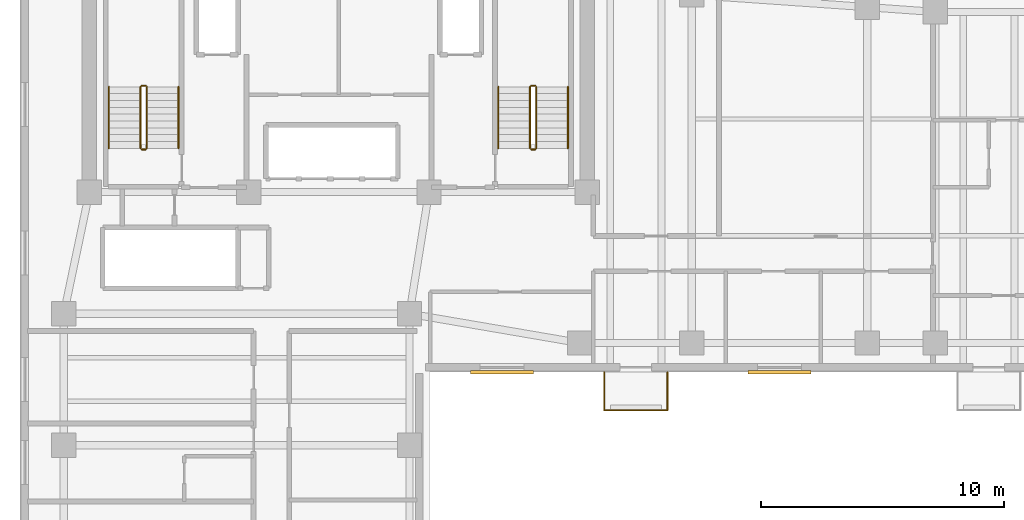
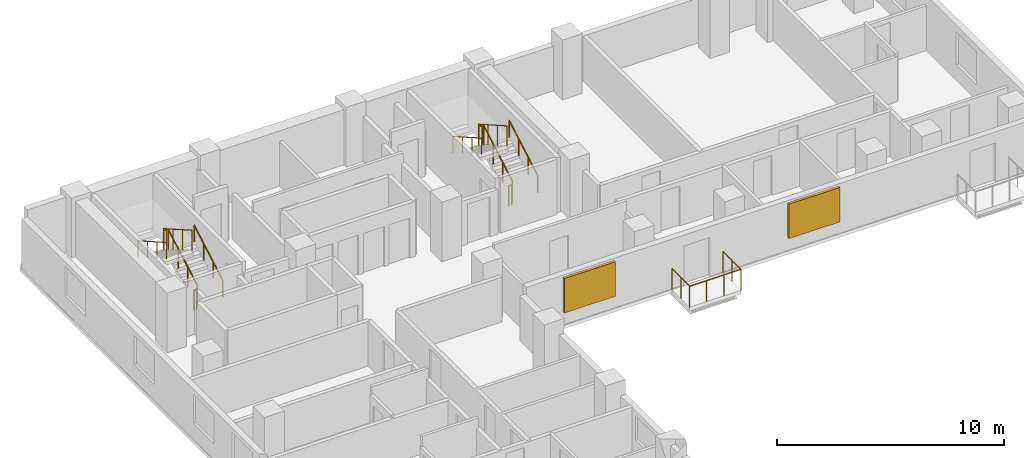
# One storey, part 6 of 7: 15 railings, 2 shading devices.
"""IFC4 building model written with IfcOpenShell, lengths in metres."""

import ifcopenshell
import ifcopenshell.guid

model = None  # the IFC model being written
_history = None  # IfcOwnerHistory: only IFC2X3 demands one
_inside = {}  # id of a spatial element -> (the spatial element, [elements in it])
_under = {}  # id of a project, library or spatial element -> (it, [spatial elements below it])
_declared = {}  # id of a project -> (the project, [libraries it declares])
_typed = {}  # id of a type object -> (the type object, [elements of that type])
_made_of = {}  # id of a material, layer set ... -> (it, [elements and type objects made of it])


def new_model(schema):
    """Start an empty IFC model of exactly this schema.

    Asked for "IFC4X3", IfcOpenShell would pick the latest addendum, in which some entities
    have other attributes; the version numbers below select the first issue.
    IFC2X3 requires an IfcOwnerHistory on every rooted entity: one is made here for all.
    """
    global model, _history
    if schema == "IFC4X3":
        model = ifcopenshell.file(schema_version=(4, 3, 0, 0))
    else:
        model = ifcopenshell.file(schema=schema)
    _inside.clear()
    _under.clear()
    _declared.clear()
    _typed.clear()
    _made_of.clear()
    _history = None
    if model.schema == "IFC2X3":
        org = make("IfcOrganization", Name="unknown")
        user = make(
            "IfcPersonAndOrganization",
            ThePerson=make("IfcPerson", FamilyName="unknown"),
            TheOrganization=org,
        )
        app = make(
            "IfcApplication",
            ApplicationDeveloper=org,
            Version="unknown",
            ApplicationFullName="unknown",
            ApplicationIdentifier="unknown",
        )
        _history = make(
            "IfcOwnerHistory",
            OwningUser=user,
            OwningApplication=app,
            ChangeAction="ADDED",
            CreationDate=0,
        )
    return model


def make(cls, **values):
    """One entity of the class cls with the attributes given. An attribute that is None is left unset."""
    return model.create_entity(
        cls, **{name: value for name, value in values.items() if value is not None}
    )


def rooted(cls, **values):
    """An entity with a GlobalId (a new one), such as an element, a storey or a relation."""
    return make(cls, GlobalId=ifcopenshell.guid.new(), OwnerHistory=_history, **values)


def si_unit(unit_type, name, prefix=None):
    """IfcSIUnit, for example si_unit("LENGTHUNIT", "METRE", prefix="MILLI")."""
    return make("IfcSIUnit", UnitType=unit_type, Prefix=prefix, Name=name)


def assignment(units):
    """IfcUnitAssignment: the units of a project."""
    return None if units is None else make("IfcUnitAssignment", Units=units)


def point(xyz):
    """IfcCartesianPoint."""
    return None if xyz is None else make("IfcCartesianPoint", Coordinates=xyz)


def direction(xyz):
    """IfcDirection."""
    return None if xyz is None else make("IfcDirection", DirectionRatios=xyz)


def frame(location, z_axis=None, x_axis=None):
    """IfcAxis2Placement3D, a coordinate frame: its origin and axes. An axis left out is left unset."""
    return make(
        "IfcAxis2Placement3D",
        Location=point(location),
        Axis=direction(z_axis),
        RefDirection=direction(x_axis),
    )


def frame_2d(location, x_axis=None):
    """IfcAxis2Placement2D, a coordinate frame in the plane: its origin and x axis."""
    return make(
        "IfcAxis2Placement2D", Location=point(location), RefDirection=direction(x_axis)
    )


def origin():
    """The frame at (0, 0, 0) with its axes left unset."""
    return frame((0.0, 0.0, 0.0))


def origin_2d():
    """The frame at (0, 0) in the plane with its x axis left unset."""
    return frame_2d((0.0, 0.0))


def place(relative_to, where):
    """IfcLocalPlacement: puts the frame where relative to a parent placement (None: the world)."""
    return make(
        "IfcLocalPlacement", PlacementRelTo=relative_to, RelativePlacement=where
    )


def context(
    kind, dimensions, precision=None, world=None, true_north=None, identifier=None
):
    """IfcGeometricRepresentationContext, for example the 3D "Model" context."""
    return make(
        "IfcGeometricRepresentationContext",
        ContextIdentifier=identifier,
        ContextType=kind,
        CoordinateSpaceDimension=dimensions,
        Precision=precision,
        WorldCoordinateSystem=world,
        TrueNorth=true_north,
    )


def subcontext(parent, identifier, kind, view, scale=None):
    """IfcGeometricRepresentationSubContext, for example "Body" below "Model"."""
    return make(
        "IfcGeometricRepresentationSubContext",
        ContextIdentifier=identifier,
        ContextType=kind,
        ParentContext=parent,
        TargetScale=scale,
        TargetView=view,
    )


def project(units=None, contexts=None):
    """IfcProject with its units and contexts."""
    return rooted(
        "IfcProject",
        Name="project",
        RepresentationContexts=contexts,
        UnitsInContext=assignment(units),
    )


def spatial(cls, under=None, at=None, **own):
    """A site, building, storey or space (cls), placed at a placement, below another one or the project."""
    s = rooted(cls, ObjectPlacement=at, **own)
    if under is not None:
        _under.setdefault(under.id(), (under, []))[1].append(s)
    return s


def profile(cls, at=None, kind="AREA", **sizes):
    """A parametric profile (cls). Its sizes go by their IFC names, for example OverallWidth=200.0."""
    return make(cls, ProfileType=kind, Position=at, **sizes)


def rectangle(**sizes):
    """IfcRectangleProfileDef."""
    return profile("IfcRectangleProfileDef", **sizes)


def circle(**sizes):
    """IfcCircleProfileDef."""
    return profile("IfcCircleProfileDef", **sizes)


def extrude(swept, where, along, depth):
    """IfcExtrudedAreaSolid: the profile swept, set in the frame where, extruded along a direction by depth."""
    return make(
        "IfcExtrudedAreaSolid",
        SweptArea=swept,
        Position=where,
        ExtrudedDirection=direction(along),
        Depth=depth,
    )


def shape(context_of_items, identifier, shape_type, items):
    """IfcShapeRepresentation: the items that make up one representation, for example the "Body"."""
    return make(
        "IfcShapeRepresentation",
        ContextOfItems=context_of_items,
        RepresentationIdentifier=identifier,
        RepresentationType=shape_type,
        Items=items,
    )


def material(Name=None, Category=None):
    """IfcMaterial."""
    return make("IfcMaterial", Name=Name, Category=Category)


def layer(
    of_material, thickness, ventilated=None, Name=None, Category=None, Priority=None
):
    """IfcMaterialLayer: one layer of a wall or slab, of a material (None: an air gap)."""
    return make(
        "IfcMaterialLayer",
        Material=of_material,
        LayerThickness=thickness,
        IsVentilated=ventilated,
        Name=Name,
        Category=Category,
        Priority=Priority,
    )


def layer_set(layers, Name=None):
    """IfcMaterialLayerSet."""
    return make("IfcMaterialLayerSet", MaterialLayers=layers, LayerSetName=Name)


def made_of(thing, what):
    """Note that an element or type object is made of a material, layer set ...; save() writes the relation."""
    if what is not None:
        _made_of.setdefault(what.id(), (what, []))[1].append(thing)
    return thing


def type_object(cls, material=None, **own):
    """A type object (cls), such as IfcWallType, which elements share."""
    return made_of(rooted(cls, **own), material)


def element(
    cls,
    number,
    at=None,
    inside=None,
    cuts=None,
    type_object=None,
    material=None,
    context=None,
    identifier="Body",
    shape_type=None,
    held_by="IfcProductDefinitionShape",
    body=None,
    shapes=None,
    **own,
):
    """One element of the class cls, such as IfcWall. Its Tag is "e" and its number.

    at: its placement. inside: the storey or other place that contains it. cuts: it is an
    opening in that element (IfcRelVoidsElement). A single representation is given by context,
    identifier, shape_type and body (its items); several are given by shapes. held_by: the class
    of the entity that holds the representations. save() writes the other relations.
    """
    e = rooted(cls, Tag="e%d" % number, ObjectPlacement=at, **own)
    if body is not None:
        shapes = [shape(context, identifier, shape_type, body)]
    if shapes is not None:
        e.Representation = make(held_by, Representations=shapes)
    if inside is not None:
        _inside.setdefault(inside.id(), (inside, []))[1].append(e)
    if cuts is not None:
        rooted(
            "IfcRelVoidsElement", RelatingBuildingElement=cuts, RelatedOpeningElement=e
        )
    if type_object is not None:
        _typed.setdefault(type_object.id(), (type_object, []))[1].append(e)
    return made_of(e, material)


def aggregate(whole, parts):
    """IfcRelAggregates: a whole, such as a stair, and the parts it consists of."""
    return rooted("IfcRelAggregates", RelatingObject=whole, RelatedObjects=parts)


def save(model, path):
    """Write the relations noted so far, then the file.

    IfcRelAggregates (storeys below a building ...), IfcRelContainedInSpatialStructure (elements
    in a storey), IfcRelDefinesByType, IfcRelAssociatesMaterial and IfcRelDeclares: one each for
    every whole, place, type object, material and project.
    """
    for whole, parts in _under.values():
        aggregate(whole, parts)
    for where, things in _inside.values():
        rooted(
            "IfcRelContainedInSpatialStructure",
            RelatedElements=things,
            RelatingStructure=where,
        )
    for kind, things in _typed.values():
        rooted("IfcRelDefinesByType", RelatedObjects=things, RelatingType=kind)
    for what, things in _made_of.values():
        rooted("IfcRelAssociatesMaterial", RelatedObjects=things, RelatingMaterial=what)
    for by, libraries in _declared.values():
        rooted("IfcRelDeclares", RelatingContext=by, RelatedDefinitions=libraries)
    model.write(path)


model = new_model("IFC4")

# Units and contexts
model_context = context("Model", 3, precision=1e-05, world=origin(), true_north=direction((0.0, 1.0)))
body_context = subcontext(model_context, "Body", "Model", "MODEL_VIEW")
ifc_project = project(units=[si_unit("LENGTHUNIT", "METRE"), si_unit("AREAUNIT", "SQUARE_METRE"), si_unit("VOLUMEUNIT", "CUBIC_METRE"), si_unit("PLANEANGLEUNIT", "RADIAN"), si_unit("MASSUNIT", "GRAM", prefix="KILO")], contexts=[model_context])

# Site, building, storey
site_placement = place(None, origin())
site = spatial("IfcSite", under=ifc_project, at=site_placement, CompositionType="ELEMENT")
building_placement = place(site_placement, origin())
building = spatial("IfcBuilding", under=site, at=building_placement, Name="Kuzgunbayir Cultural Tower", CompositionType="ELEMENT")
storey_placement = place(building_placement, frame((0.0, 0.0, 149.0)))
storey = spatial("IfcBuildingStorey", under=building, at=storey_placement, Name="L43", CompositionType="ELEMENT", Elevation=149.0)

# Railings
ifc_material_1 = material(Name="Laminated Glass and Stainless Steel", Category="steel")
ifc_layer_1 = layer(ifc_material_1, 0.080078125)
ifc_layer_set_1 = layer_set([ifc_layer_1], Name="Laminated Glass and Stainless Steel")
railing_type_1 = type_object("IfcRailingType", Name="RLG-BAL-115", PredefinedType="BALUSTRADE", material=ifc_layer_set_1)
railing_1_placement = place(storey_placement, frame((27.60009765625, 26.39990234375, 0.0)))
element("IfcRailing", 1, at=railing_1_placement, inside=storey, type_object=railing_type_1, Name="L43 Balcony Guard BAL-L43-WB1 Segment 1", PredefinedType="BALUSTRADE", context=body_context, shape_type="SweptSolid", body=[
    extrude(circle(Radius=0.02392578125, at=origin_2d()), frame((0.0, 0.0, 1.1259765625), z_axis=(0.0, -1.0, 0.0), x_axis=(1.0, 0.0, 0.0)), (0.0, 0.0, 1.0), 1.559814453125),
    extrude(circle(Radius=0.02099609375, at=origin_2d()), origin(), (0.0, 0.0, 1.0), 1.101806640625),
    extrude(circle(Radius=0.02099609375, at=origin_2d()), frame((0.0, -0.77978515625, 0.0)), (0.0, 0.0, 1.0), 1.101806640625),
    extrude(circle(Radius=0.02099609375, at=origin_2d()), frame((0.0, -1.559814453125, 0.0)), (0.0, 0.0, 1.0), 1.101806640625),
])
railing_2_placement = place(storey_placement, frame((27.60009765625, 24.840087890625, 0.0)))
element("IfcRailing", 2, at=railing_2_placement, inside=storey, type_object=railing_type_1, Name="L43 Balcony Guard BAL-L43-WB1 Segment 2", PredefinedType="BALUSTRADE", context=body_context, shape_type="SweptSolid", body=[
    extrude(circle(Radius=0.02392578125, at=origin_2d()), frame((0.0, 0.0, 1.1259765625), z_axis=(1.0, 0.0, 0.0), x_axis=(0.0, 1.0, 0.0)), (0.0, 0.0, 1.0), 2.599853515625),
    extrude(circle(Radius=0.02099609375, at=origin_2d()), origin(), (0.0, 0.0, 1.0), 1.101806640625),
    extrude(circle(Radius=0.02099609375, at=origin_2d()), frame((0.86669921875, 0.0, 0.0)), (0.0, 0.0, 1.0), 1.101806640625),
    extrude(circle(Radius=0.02099609375, at=origin_2d()), frame((1.733154296875, 0.0, 0.0)), (0.0, 0.0, 1.0), 1.101806640625),
    extrude(circle(Radius=0.02099609375, at=origin_2d()), frame((2.599853515625, 0.0, 0.0)), (0.0, 0.0, 1.0), 1.101806640625),
])
railing_3_placement = place(storey_placement, frame((30.199951171875, 24.840087890625, 0.0)))
element("IfcRailing", 3, at=railing_3_placement, inside=storey, type_object=railing_type_1, Name="L43 Balcony Guard BAL-L43-WB1 Segment 3", PredefinedType="BALUSTRADE", context=body_context, shape_type="SweptSolid", body=[
    extrude(circle(Radius=0.02392578125, at=origin_2d()), frame((0.0, 0.0, 1.1259765625), z_axis=(0.0, 1.0, 0.0), x_axis=(-1.0, 0.0, 0.0)), (0.0, 0.0, 1.0), 1.559814453125),
    extrude(circle(Radius=0.02099609375, at=origin_2d()), origin(), (0.0, 0.0, 1.0), 1.101806640625),
    extrude(circle(Radius=0.02099609375, at=origin_2d()), frame((0.0, 0.77978515625, 0.0)), (0.0, 0.0, 1.0), 1.101806640625),
    extrude(circle(Radius=0.02099609375, at=origin_2d()), frame((0.0, 1.559814453125, 0.0)), (0.0, 0.0, 1.0), 1.101806640625),
])
ifc_material_2 = material(Name="Brushed Stainless Steel", Category="steel")
ifc_layer_2 = layer(ifc_material_2, 0.050048828125)
ifc_layer_set_2 = layer_set([ifc_layer_2], Name="Brushed Stainless Steel")
railing_type_2 = type_object("IfcRailingType", Name="RLG-STAIR-HANDRAIL", PredefinedType="HANDRAIL", material=ifc_layer_set_2)
railing_4_placement = place(storey_placement, frame((10.110107421875, 35.60009765625, 0.159912109375)))
element("IfcRailing", 4, at=railing_4_placement, inside=storey, type_object=railing_type_2, Name="L43 ST-1 stair handrail 1", PredefinedType="HANDRAIL", context=body_context, shape_type="SweptSolid", body=[
    extrude(circle(Radius=0.02392578125, at=origin_2d()), frame((0.0, 0.0, 0.8759765625), z_axis=(0.0, 0.868217259934, 0.496184229447), x_axis=(-1.0, 0.0, 0.0)), (0.0, 0.0, 1.0), 2.902587890625),
    extrude(circle(Radius=0.02099609375, at=origin_2d()), origin(), (0.0, 0.0, 1.0), 0.851806640625),
    extrude(circle(Radius=0.02099609375, at=origin_2d()), frame((0.0, 0.840087890625, 0.47998046875)), (0.0, 0.0, 1.0), 0.851806640625),
    extrude(circle(Radius=0.02099609375, at=origin_2d()), frame((0.0, 1.679931640625, 0.960205078125)), (0.0, 0.0, 1.0), 0.851806640625),
    extrude(circle(Radius=0.02099609375, at=origin_2d()), frame((0.0, 2.52001953125, 1.440185546875)), (0.0, 0.0, 1.0), 0.851806640625),
])
railing_5_placement = place(storey_placement, frame((7.25, 38.1201171875, 1.760009765625)))
element("IfcRailing", 5, at=railing_5_placement, inside=storey, type_object=railing_type_2, Name="L43 ST-1 stair handrail 2", PredefinedType="HANDRAIL", context=body_context, shape_type="SweptSolid", body=[
    extrude(circle(Radius=0.02392578125, at=origin_2d()), frame((0.0, 0.0, 0.8759765625), z_axis=(0.0, -0.868253494771, 0.496120820787), x_axis=(1.0, 0.0, 0.0)), (0.0, 0.0, 1.0), 2.90234375),
    extrude(circle(Radius=0.02099609375, at=origin_2d()), origin(), (0.0, 0.0, 1.0), 0.851806640625),
    extrude(circle(Radius=0.02099609375, at=origin_2d()), frame((0.0, -0.840087890625, 0.47998046875)), (0.0, 0.0, 1.0), 0.851806640625),
    extrude(circle(Radius=0.02099609375, at=origin_2d()), frame((0.0, -1.679931640625, 0.9599609375)), (0.0, 0.0, 1.0), 0.851806640625),
    extrude(circle(Radius=0.02099609375, at=origin_2d()), frame((0.0, -2.52001953125, 1.43994140625)), (0.0, 0.0, 1.0), 0.851806640625),
])
railing_6_placement = place(storey_placement, frame((26.110107421875, 35.60009765625, 0.159912109375)))
element("IfcRailing", 6, at=railing_6_placement, inside=storey, type_object=railing_type_2, Name="L43 ST-2 stair handrail 1", PredefinedType="HANDRAIL", context=body_context, shape_type="SweptSolid", body=[
    extrude(circle(Radius=0.02392578125, at=origin_2d()), frame((0.0, 0.0, 0.8759765625), z_axis=(0.0, 0.868217259934, 0.496184229447), x_axis=(-1.0, 0.0, 0.0)), (0.0, 0.0, 1.0), 2.902587890625),
    extrude(circle(Radius=0.02099609375, at=origin_2d()), origin(), (0.0, 0.0, 1.0), 0.851806640625),
    extrude(circle(Radius=0.02099609375, at=origin_2d()), frame((0.0, 0.840087890625, 0.47998046875)), (0.0, 0.0, 1.0), 0.851806640625),
    extrude(circle(Radius=0.02099609375, at=origin_2d()), frame((0.0, 1.679931640625, 0.960205078125)), (0.0, 0.0, 1.0), 0.851806640625),
    extrude(circle(Radius=0.02099609375, at=origin_2d()), frame((0.0, 2.52001953125, 1.440185546875)), (0.0, 0.0, 1.0), 0.851806640625),
])
railing_7_placement = place(storey_placement, frame((23.25, 38.1201171875, 1.760009765625)))
element("IfcRailing", 7, at=railing_7_placement, inside=storey, type_object=railing_type_2, Name="L43 ST-2 stair handrail 2", PredefinedType="HANDRAIL", context=body_context, shape_type="SweptSolid", body=[
    extrude(circle(Radius=0.02392578125, at=origin_2d()), frame((0.0, 0.0, 0.8759765625), z_axis=(0.0, -0.868253494771, 0.496120820787), x_axis=(1.0, 0.0, 0.0)), (0.0, 0.0, 1.0), 2.90234375),
    extrude(circle(Radius=0.02099609375, at=origin_2d()), origin(), (0.0, 0.0, 1.0), 0.851806640625),
    extrude(circle(Radius=0.02099609375, at=origin_2d()), frame((0.0, -0.840087890625, 0.47998046875)), (0.0, 0.0, 1.0), 0.851806640625),
    extrude(circle(Radius=0.02099609375, at=origin_2d()), frame((0.0, -1.679931640625, 0.9599609375)), (0.0, 0.0, 1.0), 0.851806640625),
    extrude(circle(Radius=0.02099609375, at=origin_2d()), frame((0.0, -2.52001953125, 1.43994140625)), (0.0, 0.0, 1.0), 0.851806640625),
])
ifc_material_3 = material(Name="Painted Steel Balustrade", Category="steel")
ifc_layer_3 = layer(ifc_material_3, 0.06005859375)
ifc_layer_set_3 = layer_set([ifc_layer_3], Name="Painted Steel Balustrade")
railing_type_3 = type_object("IfcRailingType", Name="RLG-WELL-GUARD", PredefinedType="GUARDRAIL", material=ifc_layer_set_3)
railing_8_placement = place(storey_placement, frame((8.81005859375, 35.60009765625, 0.159912109375)))
element("IfcRailing", 8, at=railing_8_placement, inside=storey, type_object=railing_type_3, Name="L43 ST-1 stair guard 1", PredefinedType="GUARDRAIL", context=body_context, shape_type="SweptSolid", body=[
    extrude(circle(Radius=0.02392578125, at=origin_2d()), frame((0.0, 0.0, 1.076171875), z_axis=(0.0, 0.868217259934, 0.496184229447), x_axis=(-1.0, 0.0, 0.0)), (0.0, 0.0, 1.0), 2.902587890625),
    extrude(circle(Radius=0.02099609375, at=origin_2d()), origin(), (0.0, 0.0, 1.0), 1.052001953125),
    extrude(circle(Radius=0.02099609375, at=origin_2d()), frame((0.0, 0.840087890625, 0.47998046875)), (0.0, 0.0, 1.0), 1.052001953125),
    extrude(circle(Radius=0.02099609375, at=origin_2d()), frame((0.0, 1.679931640625, 0.960205078125)), (0.0, 0.0, 1.0), 1.052001953125),
    extrude(circle(Radius=0.02099609375, at=origin_2d()), frame((0.0, 2.52001953125, 1.440185546875)), (0.0, 0.0, 1.0), 1.052001953125),
])
railing_9_placement = place(storey_placement, frame((8.760009765625, 38.169921875, 1.60009765625)))
element("IfcRailing", 9, at=railing_9_placement, inside=storey, type_object=railing_type_3, Name="L43 ST-1 stair guard 2", PredefinedType="GUARDRAIL", context=body_context, shape_type="SweptSolid", body=[
    extrude(circle(Radius=0.02392578125, at=origin_2d()), frame((0.0, 0.0, 1.076171875), z_axis=(-1.0, 0.0, 0.0), x_axis=(0.0, -1.0, 0.0)), (0.0, 0.0, 1.0), 0.159912109375),
    extrude(circle(Radius=0.02099609375, at=origin_2d()), origin(), (0.0, 0.0, 1.0), 1.052001953125),
    extrude(circle(Radius=0.02099609375, at=origin_2d()), frame((-0.159912109375, 0.0, 0.0)), (0.0, 0.0, 1.0), 1.052001953125),
])
railing_10_placement = place(storey_placement, frame((8.550048828125, 38.1201171875, 1.760009765625)))
element("IfcRailing", 10, at=railing_10_placement, inside=storey, type_object=railing_type_3, Name="L43 ST-1 stair guard 3", PredefinedType="GUARDRAIL", context=body_context, shape_type="SweptSolid", body=[
    extrude(circle(Radius=0.02392578125, at=origin_2d()), frame((0.0, 0.0, 1.076171875), z_axis=(0.0, -0.868253494771, 0.496120820787), x_axis=(1.0, 0.0, 0.0)), (0.0, 0.0, 1.0), 2.90234375),
    extrude(circle(Radius=0.02099609375, at=origin_2d()), origin(), (0.0, 0.0, 1.0), 1.052001953125),
    extrude(circle(Radius=0.02099609375, at=origin_2d()), frame((0.0, -0.840087890625, 0.47998046875)), (0.0, 0.0, 1.0), 1.052001953125),
    extrude(circle(Radius=0.02099609375, at=origin_2d()), frame((0.0, -1.679931640625, 0.9599609375)), (0.0, 0.0, 1.0), 1.052001953125),
    extrude(circle(Radius=0.02099609375, at=origin_2d()), frame((0.0, -2.52001953125, 1.43994140625)), (0.0, 0.0, 1.0), 1.052001953125),
])
railing_11_placement = place(storey_placement, frame((8.760009765625, 35.550048828125, 0.0)))
element("IfcRailing", 11, at=railing_11_placement, inside=storey, type_object=railing_type_3, Name="L43 ST-1 stair guard 4", PredefinedType="GUARDRAIL", context=body_context, shape_type="SweptSolid", body=[
    extrude(circle(Radius=0.02392578125, at=origin_2d()), frame((0.0, 0.0, 1.076171875), z_axis=(-1.0, 0.0, 0.0), x_axis=(0.0, -1.0, 0.0)), (0.0, 0.0, 1.0), 0.159912109375),
    extrude(circle(Radius=0.02099609375, at=origin_2d()), origin(), (0.0, 0.0, 1.0), 1.052001953125),
    extrude(circle(Radius=0.02099609375, at=origin_2d()), frame((-0.159912109375, 0.0, 0.0)), (0.0, 0.0, 1.0), 1.052001953125),
])
railing_12_placement = place(storey_placement, frame((24.81005859375, 35.60009765625, 0.159912109375)))
element("IfcRailing", 12, at=railing_12_placement, inside=storey, type_object=railing_type_3, Name="L43 ST-2 stair guard 1", PredefinedType="GUARDRAIL", context=body_context, shape_type="SweptSolid", body=[
    extrude(circle(Radius=0.02392578125, at=origin_2d()), frame((0.0, 0.0, 1.076171875), z_axis=(0.0, 0.868217259934, 0.496184229447), x_axis=(-1.0, 0.0, 0.0)), (0.0, 0.0, 1.0), 2.902587890625),
    extrude(circle(Radius=0.02099609375, at=origin_2d()), origin(), (0.0, 0.0, 1.0), 1.052001953125),
    extrude(circle(Radius=0.02099609375, at=origin_2d()), frame((0.0, 0.840087890625, 0.47998046875)), (0.0, 0.0, 1.0), 1.052001953125),
    extrude(circle(Radius=0.02099609375, at=origin_2d()), frame((0.0, 1.679931640625, 0.960205078125)), (0.0, 0.0, 1.0), 1.052001953125),
    extrude(circle(Radius=0.02099609375, at=origin_2d()), frame((0.0, 2.52001953125, 1.440185546875)), (0.0, 0.0, 1.0), 1.052001953125),
])
railing_13_placement = place(storey_placement, frame((24.760009765625, 38.169921875, 1.60009765625)))
element("IfcRailing", 13, at=railing_13_placement, inside=storey, type_object=railing_type_3, Name="L43 ST-2 stair guard 2", PredefinedType="GUARDRAIL", context=body_context, shape_type="SweptSolid", body=[
    extrude(circle(Radius=0.02392578125, at=origin_2d()), frame((0.0, 0.0, 1.076171875), z_axis=(-1.0, 0.0, 0.0), x_axis=(0.0, -1.0, 0.0)), (0.0, 0.0, 1.0), 0.159912109375),
    extrude(circle(Radius=0.02099609375, at=origin_2d()), origin(), (0.0, 0.0, 1.0), 1.052001953125),
    extrude(circle(Radius=0.02099609375, at=origin_2d()), frame((-0.159912109375, 0.0, 0.0)), (0.0, 0.0, 1.0), 1.052001953125),
])
railing_14_placement = place(storey_placement, frame((24.550048828125, 38.1201171875, 1.760009765625)))
element("IfcRailing", 14, at=railing_14_placement, inside=storey, type_object=railing_type_3, Name="L43 ST-2 stair guard 3", PredefinedType="GUARDRAIL", context=body_context, shape_type="SweptSolid", body=[
    extrude(circle(Radius=0.02392578125, at=origin_2d()), frame((0.0, 0.0, 1.076171875), z_axis=(0.0, -0.868253494771, 0.496120820787), x_axis=(1.0, 0.0, 0.0)), (0.0, 0.0, 1.0), 2.90234375),
    extrude(circle(Radius=0.02099609375, at=origin_2d()), origin(), (0.0, 0.0, 1.0), 1.052001953125),
    extrude(circle(Radius=0.02099609375, at=origin_2d()), frame((0.0, -0.840087890625, 0.47998046875)), (0.0, 0.0, 1.0), 1.052001953125),
    extrude(circle(Radius=0.02099609375, at=origin_2d()), frame((0.0, -1.679931640625, 0.9599609375)), (0.0, 0.0, 1.0), 1.052001953125),
    extrude(circle(Radius=0.02099609375, at=origin_2d()), frame((0.0, -2.52001953125, 1.43994140625)), (0.0, 0.0, 1.0), 1.052001953125),
])
railing_15_placement = place(storey_placement, frame((24.760009765625, 35.550048828125, 0.0)))
element("IfcRailing", 15, at=railing_15_placement, inside=storey, type_object=railing_type_3, Name="L43 ST-2 stair guard 4", PredefinedType="GUARDRAIL", context=body_context, shape_type="SweptSolid", body=[
    extrude(circle(Radius=0.02392578125, at=origin_2d()), frame((0.0, 0.0, 1.076171875), z_axis=(-1.0, 0.0, 0.0), x_axis=(0.0, -1.0, 0.0)), (0.0, 0.0, 1.0), 0.159912109375),
    extrude(circle(Radius=0.02099609375, at=origin_2d()), origin(), (0.0, 0.0, 1.0), 1.052001953125),
    extrude(circle(Radius=0.02099609375, at=origin_2d()), frame((-0.159912109375, 0.0, 0.0)), (0.0, 0.0, 1.0), 1.052001953125),
])

# Shading devices
ifc_material_4 = material(Name="Perforated Bronze-Anodised Aluminium", Category="aluminium")
shading_device_type = type_object("IfcShadingDeviceType", Name="SHD-SOLAR-BRONZE", PredefinedType="JALOUSIE", material=ifc_material_4)
for number, where, z_axis, x_axis, name in (
    (16, (23.39990234375, 26.39990234375, 0.704833984375), (0.0, 0.0, 1.0), (1.0, 0.0, 0.0), "L43 Solar Screen WBS13"),
    (17, (34.800048828125, 26.39990234375, 0.704833984375), (0.0, 0.0, 1.0), (1.0, 0.0, 0.0), "L43 Solar Screen WBS14"),
):
    element("IfcShadingDevice", number, at=place(storey_placement, frame(where, z_axis=z_axis, x_axis=x_axis)), inside=storey, type_object=shading_device_type, Name=name, PredefinedType="JALOUSIE", context=body_context, shape_type="SweptSolid", body=[
        extrude(rectangle(XDim=2.60009765625, YDim=0.139892578125, at=origin_2d()), origin(), (0.0, 0.0, 1.0), 1.85009765625),
    ])

save(model, "model.ifc")
